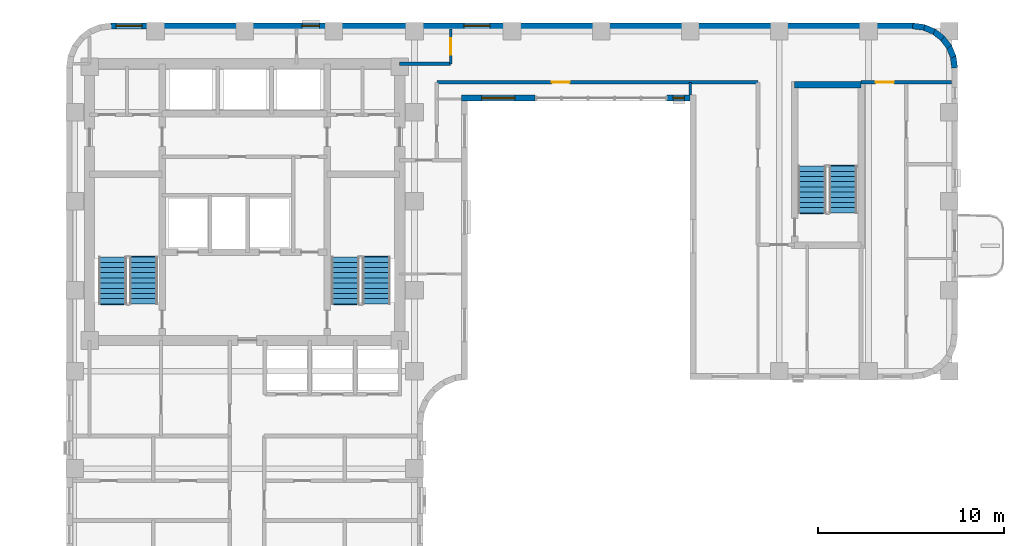
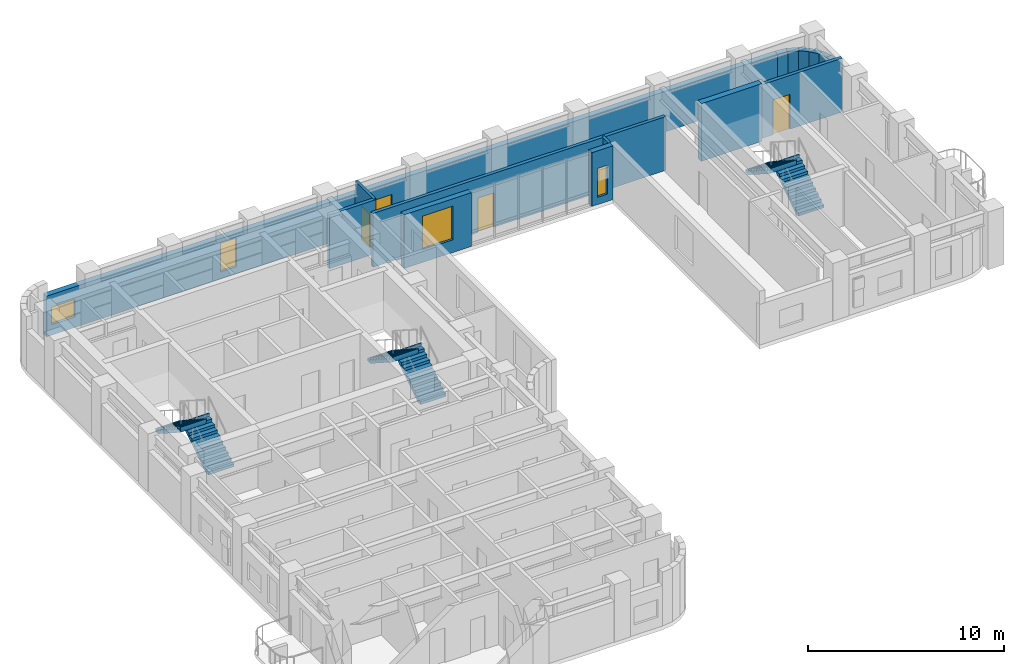
# One storey, part 8 of 11: 15 walls, 6 stair flights, 5 windows, 3 doors, 8 openings, 3 elements without a shape of their own.
"""IFC4 building model written with IfcOpenShell, lengths in metres."""

from ifc_helpers import new_model, si_unit, direction, frame, frame_2d, origin, place, context, subcontext, project, spatial, polyline, rectangle, outline, extrude, material, layer, layer_set, type_object, element, fill, aggregate, save


model = new_model("IFC4")

# Units and contexts
model_context = context("Model", 3, precision=1e-05, world=origin(), true_north=direction((0.0, 1.0)))
body_context = subcontext(model_context, "Body", "Model", "MODEL_VIEW")
ifc_project = project(units=[si_unit("LENGTHUNIT", "METRE"), si_unit("AREAUNIT", "SQUARE_METRE"), si_unit("VOLUMEUNIT", "CUBIC_METRE"), si_unit("PLANEANGLEUNIT", "RADIAN"), si_unit("MASSUNIT", "GRAM", prefix="KILO")], contexts=[model_context])

# Site, building, storey
site_placement = place(None, origin())
site = spatial("IfcSite", under=ifc_project, at=site_placement, CompositionType="ELEMENT")
building_placement = place(site_placement, origin())
building = spatial("IfcBuilding", under=site, at=building_placement, Name="Orvandelia Arch Residences", CompositionType="ELEMENT")
storey_placement = place(building_placement, frame((0.0, 0.0, 164.800048828125)))
storey = spatial("IfcBuildingStorey", under=building, at=storey_placement, Name="L43", CompositionType="ELEMENT", Elevation=164.800048828125)

# Walls
ifc_material_1 = material(Name="Concrete C50/60", Category="concrete")
ifc_layer_1 = layer(ifc_material_1, 0.35009765625, Name="Concrete C50/60", Category="concrete")
ifc_layer_set_1 = layer_set([ifc_layer_1], Name="Concrete C50/60")
wall_type_1 = type_object("IfcWallType", Name="WL-CORE-350", PredefinedType="SHEAR", material=ifc_layer_set_1)
wall_1_placement = place(storey_placement, frame((44.02001953125, 44.659912109375, 0.0), z_axis=(0.0, 0.0, 1.0), x_axis=(1.0, 0.0, 0.0)))
element("IfcWall", 1, at=wall_1_placement, inside=storey, type_object=wall_type_1, Name="East Stair Core Shear Wall L43-N", PredefinedType="SHEAR", context=body_context, shape_type="SweptSolid", body=[
    extrude(rectangle(XDim=3.580078125, YDim=0.35009765625, at=frame_2d((1.7900390625, 0.0))), origin(), (0.0, 0.0, 1.0), 3.599853515625),
])
ifc_material_2 = material(Name="Fire-Rated Corridor Partition")
ifc_layer_2 = layer(ifc_material_2, 0.199951171875, Name="Fire-Rated Corridor Partition")
ifc_layer_set_2 = layer_set([ifc_layer_2], Name="Fire-Rated Corridor Partition")
wall_type_2 = type_object("IfcWallType", Name="WL-CORR-200", PredefinedType="PARTITIONING", material=ifc_layer_set_2)
wall_2_placement = place(storey_placement, frame((22.75, 45.800048828125, 0.0), z_axis=(0.0, 0.0, 1.0), x_axis=(1.0, 0.0, 0.0)))
element("IfcWall", 2, at=wall_2_placement, inside=storey, type_object=wall_type_2, Name="Interior Partition Wall WL-L43-NCE-S", PredefinedType="PARTITIONING", context=body_context, shape_type="SweptSolid", body=[
    extrude(rectangle(XDim=2.75, YDim=0.199951171875, at=frame_2d((1.375, 0.0))), origin(), (0.0, 0.0, 1.0), 3.35986328125),
])

# Wall, opening, door
wall_3_placement = place(storey_placement, frame((24.75, 44.800048828125, 0.0), z_axis=(0.0, 0.0, 1.0), x_axis=(1.0, 0.0, 0.0)))
wall_3 = element("IfcWall", 3, at=wall_3_placement, inside=storey, type_object=wall_type_2, Name="Interior Partition Wall WL-L43-ENP-S1", PredefinedType="PARTITIONING", context=body_context, shape_type="SweptSolid", body=[
    extrude(rectangle(XDim=17.300048828125, YDim=0.199951171875, at=frame_2d((8.64990234375, 0.0))), origin(), (0.0, 0.0, 1.0), 3.35986328125),
])
opening_1_placement = place(wall_3_placement, frame((6.199951171875, 0.0, 0.0)))
opening_1 = element("IfcOpeningElement", 4, at=opening_1_placement, cuts=wall_3, Name="Opening D2", PredefinedType="OPENING", context=body_context, shape_type="SweptSolid", body=[
    extrude(rectangle(XDim=0.949951171875, YDim=2.14990234375, at=frame_2d((0.47509765625, 1.074951171875))), frame((0.0, 0.10986328125, 0.0), z_axis=(0.0, -1.0, 0.0), x_axis=(1.0, 0.0, 0.0)), (0.0, 0.0, 1.0), 0.219970703125),
])
ifc_material_3 = material(Name="Solid-Core Timber Interior Fire Door", Category="wood")
door_type_1 = type_object("IfcDoorType", Name="DR-APT-950", OperationType="NOTDEFINED", PredefinedType="DOOR", material=ifc_material_3)
door_1_placement = place(opening_1_placement, origin())
door_1 = element("IfcDoor", 5, at=door_1_placement, inside=storey, type_object=door_type_1, Name="DR-L43-VPBRG", OperationType="SINGLE_SWING_LEFT", OverallHeight=2.14990234375, OverallWidth=0.949951171875, PredefinedType="DOOR", context=body_context, shape_type="SweptSolid", body=[
    extrude(rectangle(XDim=0.949951171875, YDim=2.14990234375, at=frame_2d((0.47509765625, 1.074951171875))), frame((0.0, 0.02490234375, 0.0), z_axis=(0.0, -1.0, 0.0), x_axis=(1.0, 0.0, 0.0)), (0.0, 0.0, 1.0), 0.050048828125),
])
fill(opening_1, door_1)

wall_4_placement = place(storey_placement, frame((47.60009765625, 44.800048828125, 0.0), z_axis=(0.0, 0.0, 1.0), x_axis=(1.0, 0.0, 0.0)))
wall_4 = element("IfcWall", 6, at=wall_4_placement, inside=storey, type_object=wall_type_2, Name="Interior Partition Wall WL-L43-ENP-S2", PredefinedType="PARTITIONING", context=body_context, shape_type="SweptSolid", body=[
    extrude(rectangle(XDim=4.8798828125, YDim=0.199951171875, at=frame_2d((2.43994140625, 0.0))), origin(), (0.0, 0.0, 1.0), 3.35986328125),
])
opening_2_placement = place(wall_4_placement, frame((0.79150390625, 0.0, 0.0)))
opening_2 = element("IfcOpeningElement", 7, at=opening_2_placement, cuts=wall_4, Name="Opening D1", PredefinedType="OPENING", context=body_context, shape_type="SweptSolid", body=[
    extrude(rectangle(XDim=0.97998046875, YDim=2.179931640625, at=frame_2d((0.489990234375, 1.08984375))), frame((0.0, 0.10986328125, 0.0), z_axis=(0.0, -1.0, 0.0), x_axis=(1.0, 0.0, 0.0)), (0.0, 0.0, 1.0), 0.219970703125),
])
ifc_material_4 = material(Name="Solid-Core Timber Acoustic Fire Door", Category="wood")
door_type_2 = type_object("IfcDoorType", Name="DR-ENT-980", OperationType="NOTDEFINED", PredefinedType="DOOR", material=ifc_material_4)
door_2_placement = place(opening_2_placement, origin())
door_2 = element("IfcDoor", 8, at=door_2_placement, inside=storey, type_object=door_type_2, Name="Unit L43-07 Entrance Door", OperationType="SINGLE_SWING_LEFT", OverallHeight=2.179931640625, OverallWidth=0.97998046875, PredefinedType="DOOR", context=body_context, shape_type="SweptSolid", body=[
    extrude(rectangle(XDim=0.97998046875, YDim=2.179931640625, at=frame_2d((0.489990234375, 1.08984375))), frame((0.0, 0.02490234375, 0.0), z_axis=(0.0, -1.0, 0.0), x_axis=(1.0, 0.0, 0.0)), (0.0, 0.0, 1.0), 0.050048828125),
])
fill(opening_2, door_2)

# Wall, openings, windows
ifc_material_5 = material(Name="Precast concrete C40/50", Category="concrete")
ifc_layer_3 = layer(ifc_material_5, 0.320068359375, Name="Precast concrete C40/50", Category="concrete")
ifc_layer_set_3 = layer_set([ifc_layer_3], Name="Precast concrete C40/50")
wall_type_3 = type_object("IfcWallType", Name="WL-EXT-STONE-320", PredefinedType="STANDARD", material=ifc_layer_set_3)
wall_5_placement = place(storey_placement, frame((7.199951171875, 47.840087890625, 0.0), z_axis=(0.0, 0.0, 1.0), x_axis=(1.0, 0.0, 0.0)))
wall_5 = element("IfcWall", 9, at=wall_5_placement, inside=storey, type_object=wall_type_3, Name="Coral-Limestone Precast Facade Wall L43-007", PredefinedType="STANDARD", context=body_context, shape_type="SweptSolid", body=[
    extrude(rectangle(XDim=43.199951171875, YDim=0.320068359375, at=frame_2d((21.60009765625, 0.0))), origin(), (0.0, 0.0, 1.0), 2.5400390625),
])
opening_3_placement = place(wall_5_placement, frame((19.00244140625, 0.0, 0.64990234375)))
opening_3 = element("IfcOpeningElement", 10, at=opening_3_placement, cuts=wall_5, Name="Opening W10", PredefinedType="OPENING", context=body_context, shape_type="SweptSolid", body=[
    extrude(rectangle(XDim=1.39990234375, YDim=1.10009765625, at=frame_2d((0.699951171875, 0.550048828125))), frame((0.0, 0.169921875, 0.0), z_axis=(0.0, -1.0, 0.0), x_axis=(1.0, 0.0, 0.0)), (0.0, 0.0, 1.0), 0.340087890625),
])
opening_4_placement = place(wall_5_placement, frame((0.282470703125, 0.0, 0.64990234375)))
opening_4 = element("IfcOpeningElement", 11, at=opening_4_placement, cuts=wall_5, Name="Opening W10", PredefinedType="OPENING", context=body_context, shape_type="SweptSolid", body=[
    extrude(rectangle(XDim=1.39990234375, YDim=1.10009765625, at=frame_2d((0.699951171875, 0.550048828125))), frame((0.0, 0.169921875, 0.0), z_axis=(0.0, -1.0, 0.0), x_axis=(1.0, 0.0, 0.0)), (0.0, 0.0, 1.0), 0.340087890625),
])
opening_5_placement = place(wall_5_placement, frame((10.277587890625, 0.0, 0.449951171875)))
opening_5 = element("IfcOpeningElement", 12, at=opening_5_placement, cuts=wall_5, Name="Opening W4", PredefinedType="OPENING", context=body_context, shape_type="SweptSolid", body=[
    extrude(rectangle(XDim=0.949951171875, YDim=1.800048828125, at=frame_2d((0.47509765625, 0.89990234375))), frame((0.0, 0.169921875, 0.0), z_axis=(0.0, -1.0, 0.0), x_axis=(1.0, 0.0, 0.0)), (0.0, 0.0, 1.0), 0.340087890625),
])
ifc_material_6 = material(Name="Tempered Low-E Insulated Glazing", Category="glass")
window_type_1 = type_object("IfcWindowType", Name="WIN-CLR-1400x1100", PartitioningType="SINGLE_PANEL", PredefinedType="WINDOW", material=ifc_material_6)
window_1_placement = place(opening_3_placement, origin())
window_1 = element("IfcWindow", 13, at=window_1_placement, inside=storey, type_object=window_type_1, Name="Recessed Punched Window L43-001", OverallHeight=1.10009765625, OverallWidth=1.39990234375, PartitioningType="SINGLE_PANEL", PredefinedType="WINDOW", context=body_context, shape_type="SweptSolid", body=[
    extrude(rectangle(XDim=1.39990234375, YDim=1.10009765625, at=frame_2d((0.699951171875, 0.550048828125))), frame((0.0, 0.030029296875, 0.0), z_axis=(0.0, -1.0, 0.0), x_axis=(1.0, 0.0, 0.0)), (0.0, 0.0, 1.0), 0.06005859375),
])
fill(opening_3, window_1)
window_2_placement = place(opening_4_placement, origin())
window_2 = element("IfcWindow", 14, at=window_2_placement, inside=storey, type_object=window_type_1, Name="Recessed Punched Window L43-002", OverallHeight=1.10009765625, OverallWidth=1.39990234375, PartitioningType="SINGLE_PANEL", PredefinedType="WINDOW", context=body_context, shape_type="SweptSolid", body=[
    extrude(rectangle(XDim=1.39990234375, YDim=1.10009765625, at=frame_2d((0.699951171875, 0.550048828125))), frame((0.0, 0.030029296875, 0.0), z_axis=(0.0, -1.0, 0.0), x_axis=(1.0, 0.0, 0.0)), (0.0, 0.0, 1.0), 0.06005859375),
])
fill(opening_4, window_2)
window_type_2 = type_object("IfcWindowType", Name="WIN-RES-0950x1800", PartitioningType="SINGLE_PANEL", PredefinedType="WINDOW", material=ifc_material_6)
window_3_placement = place(opening_5_placement, origin())
window_3 = element("IfcWindow", 15, at=window_3_placement, inside=storey, type_object=window_type_2, Name="Recessed Punched Window L43-003", OverallHeight=1.800048828125, OverallWidth=0.949951171875, PartitioningType="SINGLE_PANEL", PredefinedType="WINDOW", context=body_context, shape_type="SweptSolid", body=[
    extrude(rectangle(XDim=0.949951171875, YDim=1.800048828125, at=frame_2d((0.47509765625, 0.89990234375))), frame((0.0, 0.030029296875, 0.0), z_axis=(0.0, -1.0, 0.0), x_axis=(1.0, 0.0, 0.0)), (0.0, 0.0, 1.0), 0.06005859375),
])
fill(opening_5, window_3)

# Walls
for number, where, z_axis, x_axis, name in (
    (16, (50.379150390625, 47.84130859375, 0.0), (0.0, 0.0, 1.0), (0.9914410257, -0.130555323746, 0.0), "Coral-Limestone Precast Facade Wall L43-008"),
    (17, (50.9599609375, 47.7705078125, 0.0), (0.0, 0.0, 1.0), (0.92389335771, -0.382650053678, 0.0), "Coral-Limestone Precast Facade Wall L43-009"),
    (18, (51.502685546875, 47.551513671875, 0.0), (0.0, 0.0, 1.0), (0.793405610854, -0.608693302629, 0.0), "Coral-Limestone Precast Facade Wall L43-010"),
    (19, (51.97021484375, 47.19970703125, 0.0), (0.0, 0.0, 1.0), (0.608693302629, -0.793405610854, 0.0), "Coral-Limestone Precast Facade Wall L43-011"),
    (20, (52.330810546875, 46.73876953125, 0.0), (0.0, 0.0, 1.0), (0.382317370307, -0.924031075431, 0.0), "Coral-Limestone Precast Facade Wall L43-012"),
    (21, (52.5595703125, 46.2001953125, 0.0), (0.0, 0.0, 1.0), (0.130555323746, -0.9914410257, 0.0), "Coral-Limestone Precast Facade Wall L43-013"),
):
    element("IfcWall", number, at=place(storey_placement, frame(where, z_axis=z_axis, x_axis=x_axis)), inside=storey, type_object=wall_type_3, Name=name, PredefinedType="STANDARD", context=body_context, shape_type="SweptSolid", body=[
        extrude(rectangle(XDim=0.62646484375, YDim=0.320068359375, at=frame_2d((0.313232421875, 0.0))), origin(), (0.0, 0.0, 1.0), 2.5400390625),
    ])

# Wall, opening, window
wall_6_placement = place(storey_placement, frame((38.39990234375, 43.9599609375, 0.0), z_axis=(0.0, 0.0, 1.0), x_axis=(-1.0, 0.0, 0.0)))
wall_6 = element("IfcWall", 22, at=wall_6_placement, inside=storey, type_object=wall_type_3, Name="Coral-Limestone Precast Facade Wall L43-023", PredefinedType="STANDARD", context=body_context, shape_type="SweptSolid", body=[
    extrude(rectangle(XDim=1.239990234375, YDim=0.320068359375, at=frame_2d((0.6201171875, 0.0))), origin(), (0.0, 0.0, 1.0), 3.35986328125),
])
opening_6_placement = place(wall_6_placement, frame((0.320068359375, 0.0, 0.449951171875)))
opening_6 = element("IfcOpeningElement", 23, at=opening_6_placement, cuts=wall_6, Name="Opening W12", PredefinedType="OPENING", context=body_context, shape_type="SweptSolid", body=[
    extrude(rectangle(XDim=0.60009765625, YDim=1.800048828125, at=frame_2d((0.300048828125, 0.89990234375))), frame((0.0, 0.169921875, 0.0), z_axis=(0.0, -1.0, 0.0), x_axis=(1.0, 0.0, 0.0)), (0.0, 0.0, 1.0), 0.340087890625),
])
window_type_3 = type_object("IfcWindowType", Name="WIN-LAN-0600x1800", PartitioningType="SINGLE_PANEL", PredefinedType="WINDOW", material=ifc_material_6)
window_4_placement = place(opening_6_placement, origin())
window_4 = element("IfcWindow", 24, at=window_4_placement, inside=storey, type_object=window_type_3, Name="Recessed Punched Window L43-012", OverallHeight=1.800048828125, OverallWidth=0.60009765625, PartitioningType="SINGLE_PANEL", PredefinedType="WINDOW", context=body_context, shape_type="SweptSolid", body=[
    extrude(rectangle(XDim=0.60009765625, YDim=1.800048828125, at=frame_2d((0.300048828125, 0.89990234375))), frame((0.0, 0.030029296875, 0.0), z_axis=(0.0, -1.0, 0.0), x_axis=(1.0, 0.0, 0.0)), (0.0, 0.0, 1.0), 0.06005859375),
])
fill(opening_6, window_4)

wall_7_placement = place(storey_placement, frame((30.0400390625, 43.9599609375, 0.0), z_axis=(0.0, 0.0, 1.0), x_axis=(-1.0, 0.0, 0.0)))
wall_7 = element("IfcWall", 25, at=wall_7_placement, inside=storey, type_object=wall_type_3, Name="Coral-Limestone Precast Facade Wall L43-024", PredefinedType="STANDARD", context=body_context, shape_type="SweptSolid", body=[
    extrude(rectangle(XDim=3.9599609375, YDim=0.320068359375, at=frame_2d((1.97998046875, 0.0))), origin(), (0.0, 0.0, 1.0), 3.35986328125),
])
opening_7_placement = place(wall_7_placement, frame((1.080078125, 0.0, 0.800048828125)))
opening_7 = element("IfcOpeningElement", 26, at=opening_7_placement, cuts=wall_7, Name="Opening W1", PredefinedType="OPENING", context=body_context, shape_type="SweptSolid", body=[
    extrude(rectangle(XDim=1.800048828125, YDim=2.10009765625, at=frame_2d((0.89990234375, 1.050048828125))), frame((0.0, 0.169921875, 0.0), z_axis=(0.0, -1.0, 0.0), x_axis=(1.0, 0.0, 0.0)), (0.0, 0.0, 1.0), 0.340087890625),
])
window_type_4 = type_object("IfcWindowType", Name="WIN-RES-1800x2100", PartitioningType="SINGLE_PANEL", PredefinedType="WINDOW", material=ifc_material_6)
window_5_placement = place(opening_7_placement, origin())
window_5 = element("IfcWindow", 27, at=window_5_placement, inside=storey, type_object=window_type_4, Name="Recessed Punched Window L43-013", OverallHeight=2.10009765625, OverallWidth=1.800048828125, PartitioningType="SINGLE_PANEL", PredefinedType="WINDOW", context=body_context, shape_type="SweptSolid", body=[
    extrude(rectangle(XDim=1.800048828125, YDim=2.10009765625, at=frame_2d((0.89990234375, 1.050048828125))), frame((0.0, 0.030029296875, 0.0), z_axis=(0.0, -1.0, 0.0), x_axis=(1.0, 0.0, 0.0)), (0.0, 0.0, 1.0), 0.06005859375),
])
fill(opening_7, window_5)

# Wall, opening, door
ifc_material_7 = material(Name="Acoustic Gypsum Stud Partition")
ifc_layer_4 = layer(ifc_material_7, 0.14990234375, Name="Acoustic Gypsum Stud Partition")
ifc_layer_set_4 = layer_set([ifc_layer_4], Name="Acoustic Gypsum Stud Partition")
wall_type_4 = type_object("IfcWallType", Name="WL-PART-150", PredefinedType="PARTITIONING", material=ifc_layer_set_4)
wall_8_placement = place(storey_placement, frame((25.5, 45.800048828125, 0.0), z_axis=(0.0, 0.0, 1.0), x_axis=(0.0, 1.0, 0.0)))
wall_8 = element("IfcWall", 28, at=wall_8_placement, inside=storey, type_object=wall_type_4, Name="Interior Partition Wall WL-L43-NCE-W", PredefinedType="PARTITIONING", context=body_context, shape_type="SweptSolid", body=[
    extrude(rectangle(XDim=1.8798828125, YDim=0.14990234375, at=frame_2d((0.93994140625, 0.0))), origin(), (0.0, 0.0, 1.0), 3.35986328125),
])
opening_8_placement = place(wall_8_placement, frame((0.5, 0.0, 0.0)))
opening_8 = element("IfcOpeningElement", 29, at=opening_8_placement, cuts=wall_8, Name="Opening D5", PredefinedType="OPENING", context=body_context, shape_type="SweptSolid", body=[
    extrude(rectangle(XDim=0.8798828125, YDim=2.10009765625, at=frame_2d((0.43994140625, 1.050048828125))), frame((0.0, 0.0849609375, 0.0), z_axis=(0.0, -1.0, 0.0), x_axis=(1.0, 0.0, 0.0)), (0.0, 0.0, 1.0), 0.169921875),
])
ifc_material_8 = material(Name="Painted Galvanised Steel Service Door", Category="steel")
door_type_3 = type_object("IfcDoorType", Name="DR-SRV-880", OperationType="NOTDEFINED", PredefinedType="DOOR", material=ifc_material_8)
door_3_placement = place(opening_8_placement, origin())
door_3 = element("IfcDoor", 30, at=door_3_placement, inside=storey, type_object=door_type_3, Name="DR-L43-NCS2", OperationType="SINGLE_SWING_LEFT", OverallHeight=2.10009765625, OverallWidth=0.8798828125, PredefinedType="DOOR", context=body_context, shape_type="SweptSolid", body=[
    extrude(rectangle(XDim=0.8798828125, YDim=2.10009765625, at=frame_2d((0.43994140625, 1.050048828125))), frame((0.0, 0.02490234375, 0.0), z_axis=(0.0, -1.0, 0.0), x_axis=(1.0, 0.0, 0.0)), (0.0, 0.0, 1.0), 0.050048828125),
])
fill(opening_8, door_3)

# Wall
wall_9_placement = place(storey_placement, frame((38.39990234375, 44.1201171875, 0.0), z_axis=(0.0, 0.0, 1.0), x_axis=(0.0, 1.0, 0.0)))
element("IfcWall", 31, at=wall_9_placement, inside=storey, type_object=wall_type_4, Name="Interior Partition Wall WL-L43-VPBRG-E", PredefinedType="PARTITIONING", context=body_context, shape_type="SweptSolid", body=[
    extrude(rectangle(XDim=0.679931640625, YDim=0.14990234375, at=frame_2d((0.33984375, 0.0))), origin(), (0.0, 0.0, 1.0), 3.35986328125),
])

# Stair, stair flights
ifc_material_9 = material(Name="Concrete C40/50", Category="concrete")
stair_type = type_object("IfcStairType", Name="STAIR-RC-DOGLEG", PredefinedType="HALF_TURN_STAIR", material=ifc_material_9)
stair_1_placement = place(storey_placement, origin())
stair_1 = element("IfcStair", 32, at=stair_1_placement, inside=storey, type_object=stair_type, Name="L43 Protected Exit Stair ST-1", PredefinedType="HALF_TURN_STAIR")
stair_flight_type = type_object("IfcStairFlightType", Name="STFLT-RC-1520", PredefinedType="STRAIGHT", material=ifc_material_9)
stair_flight_1_placement = place(storey_placement, frame((8.9599609375, 32.8701171875, 0.0), z_axis=(0.0, 0.0, 1.0), x_axis=(0.0, 1.0, 0.0)))
stair_flight_1 = element("IfcStairFlight", 33, at=stair_flight_1_placement, type_object=stair_flight_type, Name="ST-1 flight 1", NumberOfRisers=10, NumberOfTreads=9, PredefinedType="STRAIGHT", RiserHeight=0.18, TreadLength=0.28, context=body_context, shape_type="SweptSolid", body=[
    extrude(outline(polyline([(0.0, 0.0), (0.0, 0.179931640625), (0.280029296875, 0.179931640625), (0.280029296875, 0.360107421875), (0.56005859375, 0.360107421875), (0.56005859375, 0.5400390625), (0.840087890625, 0.5400390625), (0.840087890625, 0.719970703125), (1.1201171875, 0.719970703125), (1.1201171875, 0.89990234375), (1.39990234375, 0.89990234375), (1.39990234375, 1.080078125), (1.679931640625, 1.080078125), (1.679931640625, 1.260009765625), (1.9599609375, 1.260009765625), (1.9599609375, 1.43994140625), (2.239990234375, 1.43994140625), (2.239990234375, 1.6201171875), (2.52001953125, 1.6201171875), (2.52001953125, 1.800048828125), (2.580078125, 1.800048828125), (2.580078125, 1.6201171875), (2.52001953125, 1.44189453125), (0.277099609375, 0.0), (0.0, 0.0)])), frame((0.0, 0.760009765625, 0.0), z_axis=(0.0, -1.0, 0.0), x_axis=(1.0, 0.0, 0.0)), (0.0, 0.0, 1.0), 1.52001953125),
])
stair_flight_2_placement = place(storey_placement, frame((7.2900390625, 35.389892578125, 1.800048828125), z_axis=(0.0, 0.0, 1.0), x_axis=(0.0, -1.0, 0.0)))
stair_flight_2 = element("IfcStairFlight", 34, at=stair_flight_2_placement, type_object=stair_flight_type, Name="ST-1 flight 2", NumberOfRisers=10, NumberOfTreads=9, PredefinedType="STRAIGHT", RiserHeight=0.18, TreadLength=0.28, context=body_context, shape_type="SweptSolid", body=[
    extrude(outline(polyline([(0.0, 0.0), (0.0, 0.179931640625), (0.280029296875, 0.179931640625), (0.280029296875, 0.360107421875), (0.56005859375, 0.360107421875), (0.56005859375, 0.5400390625), (0.840087890625, 0.5400390625), (0.840087890625, 0.719970703125), (1.1201171875, 0.719970703125), (1.1201171875, 0.89990234375), (1.39990234375, 0.89990234375), (1.39990234375, 1.080078125), (1.679931640625, 1.080078125), (1.679931640625, 1.260009765625), (1.9599609375, 1.260009765625), (1.9599609375, 1.43994140625), (2.239990234375, 1.43994140625), (2.239990234375, 1.6201171875), (2.52001953125, 1.6201171875), (2.52001953125, 1.800048828125), (2.580078125, 1.800048828125), (2.580078125, 1.6201171875), (2.52001953125, 1.44189453125), (0.277099609375, 0.0), (0.0, 0.0)])), frame((0.0, 0.760009765625, 0.0), z_axis=(0.0, -1.0, 0.0), x_axis=(1.0, 0.0, 0.0)), (0.0, 0.0, 1.0), 1.52001953125),
])
aggregate(stair_1, [stair_flight_1, stair_flight_2])

stair_2_placement = place(storey_placement, origin())
stair_2 = element("IfcStair", 35, at=stair_2_placement, inside=storey, type_object=stair_type, Name="L43 Protected Exit Stair ST-2", PredefinedType="HALF_TURN_STAIR")
stair_flight_3_placement = place(storey_placement, frame((21.489990234375, 32.8701171875, 0.0), z_axis=(0.0, 0.0, 1.0), x_axis=(0.0, 1.0, 0.0)))
stair_flight_3 = element("IfcStairFlight", 36, at=stair_flight_3_placement, type_object=stair_flight_type, Name="ST-2 flight 1", NumberOfRisers=10, NumberOfTreads=9, PredefinedType="STRAIGHT", RiserHeight=0.18, TreadLength=0.28, context=body_context, shape_type="SweptSolid", body=[
    extrude(outline(polyline([(0.0, 0.0), (0.0, 0.179931640625), (0.280029296875, 0.179931640625), (0.280029296875, 0.360107421875), (0.56005859375, 0.360107421875), (0.56005859375, 0.5400390625), (0.840087890625, 0.5400390625), (0.840087890625, 0.719970703125), (1.1201171875, 0.719970703125), (1.1201171875, 0.89990234375), (1.39990234375, 0.89990234375), (1.39990234375, 1.080078125), (1.679931640625, 1.080078125), (1.679931640625, 1.260009765625), (1.9599609375, 1.260009765625), (1.9599609375, 1.43994140625), (2.239990234375, 1.43994140625), (2.239990234375, 1.6201171875), (2.52001953125, 1.6201171875), (2.52001953125, 1.800048828125), (2.580078125, 1.800048828125), (2.580078125, 1.6201171875), (2.52001953125, 1.44189453125), (0.277099609375, 0.0), (0.0, 0.0)])), frame((0.0, 0.760009765625, 0.0), z_axis=(0.0, -1.0, 0.0), x_axis=(1.0, 0.0, 0.0)), (0.0, 0.0, 1.0), 1.52001953125),
])
stair_flight_4_placement = place(storey_placement, frame((19.820068359375, 35.389892578125, 1.800048828125), z_axis=(0.0, 0.0, 1.0), x_axis=(0.0, -1.0, 0.0)))
stair_flight_4 = element("IfcStairFlight", 37, at=stair_flight_4_placement, type_object=stair_flight_type, Name="ST-2 flight 2", NumberOfRisers=10, NumberOfTreads=9, PredefinedType="STRAIGHT", RiserHeight=0.18, TreadLength=0.28, context=body_context, shape_type="SweptSolid", body=[
    extrude(outline(polyline([(0.0, 0.0), (0.0, 0.179931640625), (0.280029296875, 0.179931640625), (0.280029296875, 0.360107421875), (0.56005859375, 0.360107421875), (0.56005859375, 0.5400390625), (0.840087890625, 0.5400390625), (0.840087890625, 0.719970703125), (1.1201171875, 0.719970703125), (1.1201171875, 0.89990234375), (1.39990234375, 0.89990234375), (1.39990234375, 1.080078125), (1.679931640625, 1.080078125), (1.679931640625, 1.260009765625), (1.9599609375, 1.260009765625), (1.9599609375, 1.43994140625), (2.239990234375, 1.43994140625), (2.239990234375, 1.6201171875), (2.52001953125, 1.6201171875), (2.52001953125, 1.800048828125), (2.580078125, 1.800048828125), (2.580078125, 1.6201171875), (2.52001953125, 1.44189453125), (0.277099609375, 0.0), (0.0, 0.0)])), frame((0.0, 0.760009765625, 0.0), z_axis=(0.0, -1.0, 0.0), x_axis=(1.0, 0.0, 0.0)), (0.0, 0.0, 1.0), 1.52001953125),
])
aggregate(stair_2, [stair_flight_3, stair_flight_4])

stair_3_placement = place(storey_placement, origin())
stair_3 = element("IfcStair", 38, at=stair_3_placement, inside=storey, type_object=stair_type, Name="L43 East Wing Exit Stair ST-3", PredefinedType="HALF_TURN_STAIR")
stair_flight_5_placement = place(storey_placement, frame((46.639892578125, 37.77001953125, 0.0), z_axis=(0.0, 0.0, 1.0), x_axis=(0.0, 1.0, 0.0)))
stair_flight_5 = element("IfcStairFlight", 39, at=stair_flight_5_placement, type_object=stair_flight_type, Name="ST-3 flight 1", NumberOfRisers=10, NumberOfTreads=9, PredefinedType="STRAIGHT", RiserHeight=0.18, TreadLength=0.28, context=body_context, shape_type="SweptSolid", body=[
    extrude(outline(polyline([(0.0, 0.0), (0.0, 0.179931640625), (0.280029296875, 0.179931640625), (0.280029296875, 0.360107421875), (0.56005859375, 0.360107421875), (0.56005859375, 0.5400390625), (0.840087890625, 0.5400390625), (0.840087890625, 0.719970703125), (1.1201171875, 0.719970703125), (1.1201171875, 0.89990234375), (1.39990234375, 0.89990234375), (1.39990234375, 1.080078125), (1.679931640625, 1.080078125), (1.679931640625, 1.260009765625), (1.9599609375, 1.260009765625), (1.9599609375, 1.43994140625), (2.239990234375, 1.43994140625), (2.239990234375, 1.6201171875), (2.52001953125, 1.6201171875), (2.52001953125, 1.800048828125), (2.580078125, 1.800048828125), (2.580078125, 1.6201171875), (2.52001953125, 1.44189453125), (0.277099609375, 0.0), (0.0, 0.0)])), frame((0.0, 0.760009765625, 0.0), z_axis=(0.0, -1.0, 0.0), x_axis=(1.0, 0.0, 0.0)), (0.0, 0.0, 1.0), 1.52001953125),
])
stair_flight_6_placement = place(storey_placement, frame((44.969970703125, 40.2900390625, 1.800048828125), z_axis=(0.0, 0.0, 1.0), x_axis=(0.0, -1.0, 0.0)))
stair_flight_6 = element("IfcStairFlight", 40, at=stair_flight_6_placement, type_object=stair_flight_type, Name="ST-3 flight 2", NumberOfRisers=10, NumberOfTreads=9, PredefinedType="STRAIGHT", RiserHeight=0.18, TreadLength=0.28, context=body_context, shape_type="SweptSolid", body=[
    extrude(outline(polyline([(0.0, 0.0), (0.0, 0.179931640625), (0.280029296875, 0.179931640625), (0.280029296875, 0.360107421875), (0.56005859375, 0.360107421875), (0.56005859375, 0.5400390625), (0.840087890625, 0.5400390625), (0.840087890625, 0.719970703125), (1.1201171875, 0.719970703125), (1.1201171875, 0.89990234375), (1.39990234375, 0.89990234375), (1.39990234375, 1.080078125), (1.679931640625, 1.080078125), (1.679931640625, 1.260009765625), (1.9599609375, 1.260009765625), (1.9599609375, 1.43994140625), (2.239990234375, 1.43994140625), (2.239990234375, 1.6201171875), (2.52001953125, 1.6201171875), (2.52001953125, 1.800048828125), (2.580078125, 1.800048828125), (2.580078125, 1.6201171875), (2.52001953125, 1.44189453125), (0.277099609375, 0.0), (0.0, 0.0)])), frame((0.0, 0.760009765625, 0.0), z_axis=(0.0, -1.0, 0.0), x_axis=(1.0, 0.0, 0.0)), (0.0, 0.0, 1.0), 1.52001953125),
])
aggregate(stair_3, [stair_flight_5, stair_flight_6])

save(model, "model.ifc")
